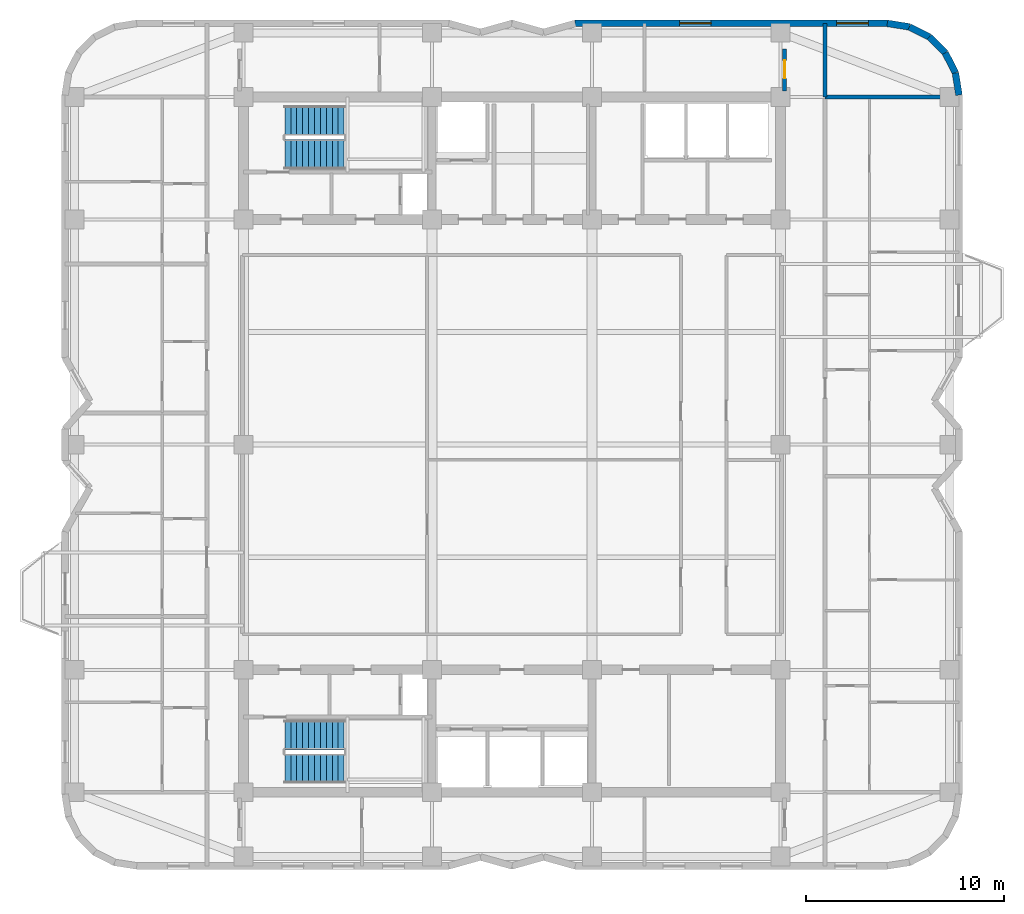
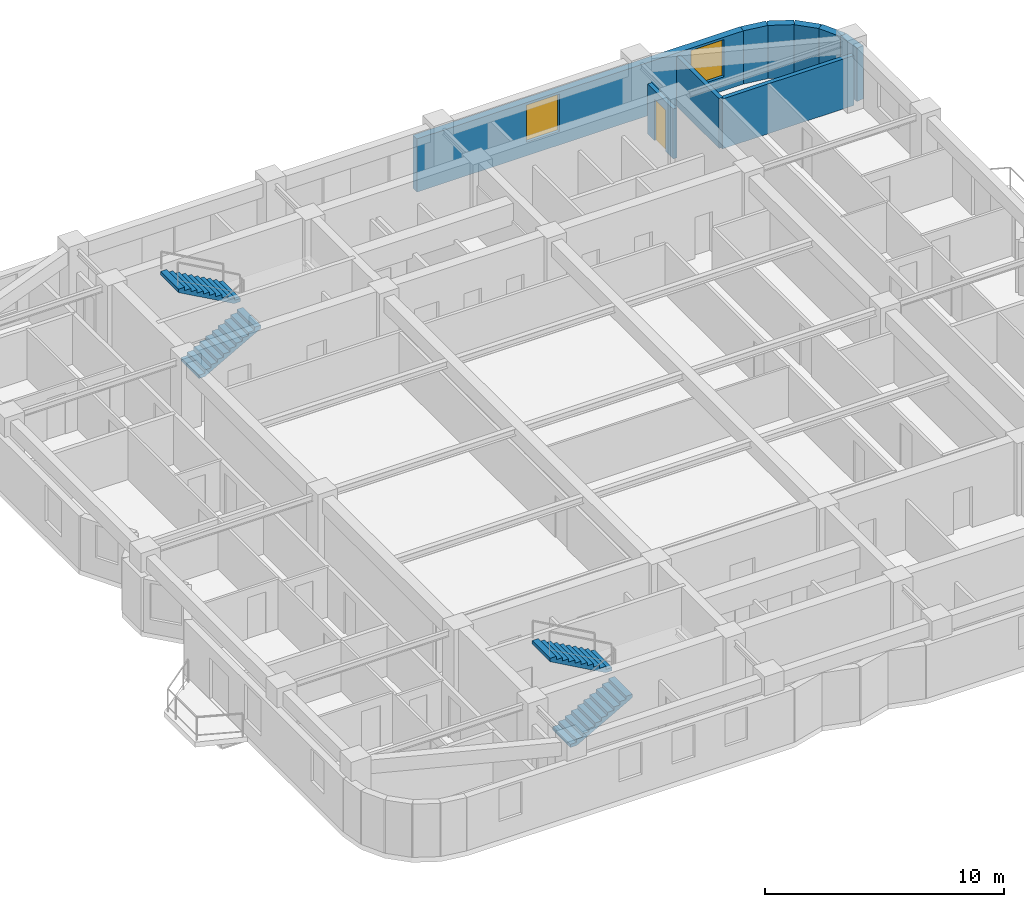
# One storey, part 7 of 9: 9 walls, 4 stair flights, 2 windows, 1 door, 3 openings, 2 elements without a shape of their own.
"""IFC4 building model written with IfcOpenShell, lengths in metres."""

from ifc_helpers import new_model, si_unit, direction, frame, frame_2d, origin, place, context, subcontext, project, spatial, polyline, rectangle, outline, extrude, material, layer, layer_set, type_object, element, fill, aggregate, save


model = new_model("IFC4")

# Units and contexts
model_context = context("Model", 3, precision=1e-05, world=origin(), true_north=direction((0.0, 1.0)))
body_context = subcontext(model_context, "Body", "Model", "MODEL_VIEW")
ifc_project = project(units=[si_unit("LENGTHUNIT", "METRE"), si_unit("AREAUNIT", "SQUARE_METRE"), si_unit("VOLUMEUNIT", "CUBIC_METRE"), si_unit("PLANEANGLEUNIT", "RADIAN"), si_unit("MASSUNIT", "GRAM", prefix="KILO")], contexts=[model_context])

# Site, building, storey
site_placement = place(None, origin())
site = spatial("IfcSite", under=ifc_project, at=site_placement, CompositionType="ELEMENT")
building_placement = place(site_placement, origin())
building = spatial("IfcBuilding", under=site, at=building_placement, Name="Svetorya Sky Lyceum", CompositionType="ELEMENT")
storey_placement = place(building_placement, frame((0.0, 0.0, 173.699951171875)))
storey = spatial("IfcBuildingStorey", under=building, at=storey_placement, Name="L43", CompositionType="ELEMENT", Elevation=173.699951171875)

# Walls
ifc_material_1 = material(Name="Putilovo limestone rainscreen on autoclaved cellular masonry", Category="masonry")
ifc_layer_1 = layer(ifc_material_1, 0.340087890625)
ifc_layer_set_1 = layer_set([ifc_layer_1], Name="Putilovo limestone rainscreen on autoclaved cellular masonry")
wall_type_1 = type_object("IfcWallType", Name="WL-EXT-340", PredefinedType="SOLIDWALL", material=ifc_layer_set_1)
for number, where, z_axis, x_axis, name in (
    (1, (61.830078125, 45.89990234375, 0.0), (0.0, 0.0, 1.0), (-0.156481329164, 0.987680916907, 0.0), "L43 Limestone Exterior Wall 24M"),
    (2, (61.65234375, 47.021728515625, 0.0), (0.0, 0.0, 1.0), (-0.453993402883, 0.891005044957, 0.0), "L43 Limestone Exterior Wall 25M"),
):
    element("IfcWall", number, at=place(storey_placement, frame(where, z_axis=z_axis, x_axis=x_axis)), inside=storey, type_object=wall_type_1, Name=name, PredefinedType="SOLIDWALL", context=body_context, shape_type="SweptSolid", body=[
        extrude(rectangle(XDim=1.1357421875, YDim=0.340087890625, at=frame_2d((0.56787109375, 0.0))), origin(), (0.0, 0.0, 1.0), 2.719970703125),
    ])
wall_1_placement = place(storey_placement, frame((61.13671875, 48.03369140625, 0.0), z_axis=(0.0, 0.0, 1.0), x_axis=(-0.707106781187, 0.707106781187, 0.0)))
element("IfcWall", 3, at=wall_1_placement, inside=storey, type_object=wall_type_1, Name="L43 Limestone Exterior Wall 26M", PredefinedType="SOLIDWALL", context=body_context, shape_type="SweptSolid", body=[
    extrude(rectangle(XDim=1.135498046875, YDim=0.340087890625, at=frame_2d((0.56787109375, 0.0))), origin(), (0.0, 0.0, 1.0), 2.719970703125),
])
for number, where, z_axis, x_axis, name in (
    (4, (60.333740234375, 48.836669921875, 0.0), (0.0, 0.0, 1.0), (-0.891005044957, 0.453993402883, 0.0), "L43 Limestone Exterior Wall 27M"),
    (5, (59.32177734375, 49.352294921875, 0.0), (0.0, 0.0, 1.0), (-0.987680916907, 0.156481329164, 0.0), "L43 Limestone Exterior Wall 28M"),
):
    element("IfcWall", number, at=place(storey_placement, frame(where, z_axis=z_axis, x_axis=x_axis)), inside=storey, type_object=wall_type_1, Name=name, PredefinedType="SOLIDWALL", context=body_context, shape_type="SweptSolid", body=[
        extrude(rectangle(XDim=1.1357421875, YDim=0.340087890625, at=frame_2d((0.56787109375, 0.0))), origin(), (0.0, 0.0, 1.0), 2.719970703125),
    ])

# Wall, openings, windows
wall_2_placement = place(storey_placement, frame((58.199951171875, 49.530029296875, 0.0), z_axis=(0.0, 0.0, 1.0), x_axis=(-1.0, 0.0, 0.0)))
wall_2 = element("IfcWall", 6, at=wall_2_placement, inside=storey, type_object=wall_type_1, Name="L43 Limestone Exterior Wall 29M", PredefinedType="SOLIDWALL", context=body_context, shape_type="SweptSolid", body=[
    extrude(rectangle(XDim=15.800048828125, YDim=0.340087890625, at=frame_2d((7.89990234375, 0.0))), origin(), (0.0, 0.0, 1.0), 2.719970703125),
])
opening_1_placement = place(wall_2_placement, frame((0.96240234375, 0.0, 0.699951171875)))
opening_1 = element("IfcOpeningElement", 7, at=opening_1_placement, cuts=wall_2, Name="Opening W-R4", PredefinedType="OPENING", context=body_context, shape_type="SweptSolid", body=[
    extrude(rectangle(XDim=1.60009765625, YDim=1.89990234375, at=frame_2d((0.800048828125, 0.949951171875))), frame((0.0, 0.179931640625, 0.0), z_axis=(0.0, -1.0, 0.0), x_axis=(1.0, 0.0, 0.0)), (0.0, 0.0, 1.0), 0.360107421875),
])
opening_2_placement = place(wall_2_placement, frame((8.91259765625, 0.0, 0.699951171875)))
opening_2 = element("IfcOpeningElement", 8, at=opening_2_placement, cuts=wall_2, Name="Opening W-R4", PredefinedType="OPENING", context=body_context, shape_type="SweptSolid", body=[
    extrude(rectangle(XDim=1.60009765625, YDim=1.89990234375, at=frame_2d((0.800048828125, 0.949951171875))), frame((0.0, 0.179931640625, 0.0), z_axis=(0.0, -1.0, 0.0), x_axis=(1.0, 0.0, 0.0)), (0.0, 0.0, 1.0), 0.360107421875),
])
ifc_material_2 = material(Name="Thermally broken aluminium frame with triple low-E glazing", Category="aluminium")
window_type = type_object("IfcWindowType", Name="WN-RES-160", PartitioningType="DOUBLE_PANEL_VERTICAL", PredefinedType="WINDOW", material=ifc_material_2)
window_1_placement = place(opening_1_placement, origin())
window_1 = element("IfcWindow", 9, at=window_1_placement, inside=storey, type_object=window_type, Name="L43 Facade Window W-R4.29M.1", OverallHeight=1.89990234375, OverallWidth=1.60009765625, PartitioningType="SINGLE_PANEL", PredefinedType="WINDOW", context=body_context, shape_type="SweptSolid", body=[
    extrude(rectangle(XDim=1.60009765625, YDim=1.89990234375, at=frame_2d((0.800048828125, 0.949951171875))), frame((0.0, 0.030029296875, 0.0), z_axis=(0.0, -1.0, 0.0), x_axis=(1.0, 0.0, 0.0)), (0.0, 0.0, 1.0), 0.06005859375),
])
fill(opening_1, window_1)
window_2_placement = place(opening_2_placement, origin())
window_2 = element("IfcWindow", 10, at=window_2_placement, inside=storey, type_object=window_type, Name="L43 Facade Window W-R4.29M.2", OverallHeight=1.89990234375, OverallWidth=1.60009765625, PartitioningType="SINGLE_PANEL", PredefinedType="WINDOW", context=body_context, shape_type="SweptSolid", body=[
    extrude(rectangle(XDim=1.60009765625, YDim=1.89990234375, at=frame_2d((0.800048828125, 0.949951171875))), frame((0.0, 0.030029296875, 0.0), z_axis=(0.0, -1.0, 0.0), x_axis=(1.0, 0.0, 0.0)), (0.0, 0.0, 1.0), 0.06005859375),
])
fill(opening_2, window_2)

# Walls
ifc_material_3 = material(Name="Autoclaved cellular masonry blockwork with gypsum plaster", Category="masonry")
ifc_layer_2 = layer(ifc_material_3, 0.199951171875)
ifc_layer_set_2 = layer_set([ifc_layer_2], Name="Autoclaved cellular masonry blockwork with gypsum plaster")
wall_type_2 = type_object("IfcWallType", Name="WL-PART-200", PredefinedType="PARTITIONING", material=ifc_layer_set_2)
wall_3_placement = place(storey_placement, frame((55.050048828125, 45.800048828125, 0.0), z_axis=(0.0, 0.0, 1.0), x_axis=(1.0, 0.0, 0.0)))
element("IfcWall", 11, at=wall_3_placement, inside=storey, type_object=wall_type_2, Name="L43 Interior Partition E-CAP-N", PredefinedType="PARTITIONING", context=body_context, shape_type="SweptSolid", body=[
    extrude(rectangle(XDim=6.35986328125, YDim=0.199951171875, at=frame_2d((3.179931640625, 0.0))), origin(), (0.0, 0.0, 1.0), 2.550048828125),
])
wall_4_placement = place(storey_placement, frame((55.050048828125, 45.800048828125, 0.0), z_axis=(0.0, 0.0, 1.0), x_axis=(0.0, 1.0, 0.0)))
element("IfcWall", 12, at=wall_4_placement, inside=storey, type_object=wall_type_2, Name="L43 Interior Partition EC-NE-END", PredefinedType="PARTITIONING", context=body_context, shape_type="SweptSolid", body=[
    extrude(rectangle(XDim=3.72998046875, YDim=0.199951171875, at=frame_2d((1.864990234375, 0.0))), origin(), (0.0, 0.0, 1.0), 2.550048828125),
])

# Wall, opening, door
wall_5_placement = place(storey_placement, frame((53.0, 46.10009765625, 0.0), z_axis=(0.0, 0.0, 1.0), x_axis=(0.0, 1.0, 0.0)))
wall_5 = element("IfcWall", 13, at=wall_5_placement, inside=storey, type_object=wall_type_2, Name="L43 Interior Partition N-EE", PredefinedType="PARTITIONING", context=body_context, shape_type="SweptSolid", body=[
    extrude(rectangle(XDim=2.1298828125, YDim=0.199951171875, at=frame_2d((1.06494140625, 0.0))), origin(), (0.0, 0.0, 1.0), 2.550048828125),
])
opening_3_placement = place(wall_5_placement, frame((0.64990234375, 0.0, 0.0)))
opening_3 = element("IfcOpeningElement", 14, at=opening_3_placement, cuts=wall_5, Name="Opening D-RM1", PredefinedType="OPENING", context=body_context, shape_type="SweptSolid", body=[
    extrude(rectangle(XDim=0.89990234375, YDim=2.10009765625, at=frame_2d((0.449951171875, 1.050048828125))), frame((0.0, 0.10986328125, 0.0), z_axis=(0.0, -1.0, 0.0), x_axis=(1.0, 0.0, 0.0)), (0.0, 0.0, 1.0), 0.219970703125),
])
ifc_material_4 = material(Name="Lacquered birch veneer internal door")
door_type = type_object("IfcDoorType", Name="DR-INT-900", OperationType="SINGLE_SWING_LEFT", PredefinedType="DOOR", material=ifc_material_4)
door_placement = place(opening_3_placement, origin())
door = element("IfcDoor", 15, at=door_placement, inside=storey, type_object=door_type, Name="L43 North Meeting Door", OperationType="SINGLE_SWING_LEFT", OverallHeight=2.10009765625, OverallWidth=0.89990234375, PredefinedType="DOOR", context=body_context, shape_type="SweptSolid", body=[
    extrude(rectangle(XDim=0.89990234375, YDim=2.10009765625, at=frame_2d((0.449951171875, 1.050048828125))), frame((0.0, 0.02490234375, 0.0), z_axis=(0.0, -1.0, 0.0), x_axis=(1.0, 0.0, 0.0)), (0.0, 0.0, 1.0), 0.050048828125),
])
fill(opening_3, door)

# Stair, stair flights
ifc_material_5 = material(Name="Concrete C40/50", Category="concrete")
stair_type_1 = type_object("IfcStairType", Name="STR-ST-N", PredefinedType="HALF_TURN_STAIR", material=ifc_material_5)
stair_1_placement = place(storey_placement, origin())
stair_1 = element("IfcStair", 16, at=stair_1_placement, inside=storey, type_object=stair_type_1, Name="L43 North Core Smoke-Free Exit Stair N3", PredefinedType="HALF_TURN_STAIR")
stair_flight_type_1 = type_object("IfcStairFlightType", Name="SFL-ST-N", PredefinedType="STRAIGHT", material=ifc_material_5)
stair_flight_1_placement = place(storey_placement, frame((27.699951171875, 42.89990234375, 0.0), z_axis=(0.0, 0.0, 1.0), x_axis=(1.0, 0.0, 0.0)))
stair_flight_1 = element("IfcStairFlight", 17, at=stair_flight_1_placement, type_object=stair_flight_type_1, Name="ST-N flight 1", NumberOfRisers=11, NumberOfTreads=10, PredefinedType="STRAIGHT", RiserHeight=0.168181818, TreadLength=0.3, context=body_context, shape_type="SweptSolid", body=[
    extrude(outline(polyline([(0.0, 0.0), (0.0, 0.168212890625), (0.300048828125, 0.168212890625), (0.300048828125, 0.33642578125), (0.60009765625, 0.33642578125), (0.60009765625, 0.504638671875), (0.89990234375, 0.504638671875), (0.89990234375, 0.672607421875), (1.199951171875, 0.672607421875), (1.199951171875, 0.8408203125), (1.5, 0.8408203125), (1.5, 1.009033203125), (1.800048828125, 1.009033203125), (1.800048828125, 1.17724609375), (2.10009765625, 1.17724609375), (2.10009765625, 1.345458984375), (2.39990234375, 1.345458984375), (2.39990234375, 1.513671875), (2.699951171875, 1.513671875), (2.699951171875, 1.681884765625), (3.0, 1.681884765625), (3.0, 1.85009765625), (3.0, 1.510009765625), (0.306640625, 0.0), (0.0, 0.0)])), frame((0.0, 0.75, 0.0), z_axis=(0.0, -1.0, 0.0), x_axis=(1.0, 0.0, 0.0)), (0.0, 0.0, 1.0), 1.5),
])
stair_flight_2_placement = place(storey_placement, frame((30.699951171875, 44.60009765625, 1.85009765625), z_axis=(0.0, 0.0, 1.0), x_axis=(-1.0, 0.0, 0.0)))
stair_flight_2 = element("IfcStairFlight", 18, at=stair_flight_2_placement, type_object=stair_flight_type_1, Name="ST-N flight 2", NumberOfRisers=11, NumberOfTreads=10, PredefinedType="STRAIGHT", RiserHeight=0.168181818, TreadLength=0.3, context=body_context, shape_type="SweptSolid", body=[
    extrude(outline(polyline([(0.0, 0.0), (0.0, 0.168212890625), (0.300048828125, 0.168212890625), (0.300048828125, 0.33642578125), (0.60009765625, 0.33642578125), (0.60009765625, 0.504638671875), (0.89990234375, 0.504638671875), (0.89990234375, 0.672607421875), (1.199951171875, 0.672607421875), (1.199951171875, 0.8408203125), (1.5, 0.8408203125), (1.5, 1.009033203125), (1.800048828125, 1.009033203125), (1.800048828125, 1.17724609375), (2.10009765625, 1.17724609375), (2.10009765625, 1.345458984375), (2.39990234375, 1.345458984375), (2.39990234375, 1.513671875), (2.699951171875, 1.513671875), (2.699951171875, 1.681884765625), (3.0, 1.681884765625), (3.0, 1.85009765625), (3.0, 1.510009765625), (0.306640625, 0.0), (0.0, 0.0)])), frame((0.0, 0.75, 0.0), z_axis=(0.0, -1.0, 0.0), x_axis=(1.0, 0.0, 0.0)), (0.0, 0.0, 1.0), 1.5),
])
aggregate(stair_1, [stair_flight_1, stair_flight_2])

stair_type_2 = type_object("IfcStairType", Name="STR-ST-S", PredefinedType="HALF_TURN_STAIR", material=ifc_material_5)
stair_2_placement = place(storey_placement, origin())
stair_2 = element("IfcStair", 19, at=stair_2_placement, inside=storey, type_object=stair_type_2, Name="L43 South Core Smoke-Free Exit Stair N2", PredefinedType="HALF_TURN_STAIR")
stair_flight_type_2 = type_object("IfcStairFlightType", Name="SFL-ST-S", PredefinedType="STRAIGHT", material=ifc_material_5)
stair_flight_3_placement = place(storey_placement, frame((27.699951171875, 11.800048828125, 0.0), z_axis=(0.0, 0.0, 1.0), x_axis=(1.0, 0.0, 0.0)))
stair_flight_3 = element("IfcStairFlight", 20, at=stair_flight_3_placement, type_object=stair_flight_type_2, Name="ST-S flight 1", NumberOfRisers=11, NumberOfTreads=10, PredefinedType="STRAIGHT", RiserHeight=0.168181818, TreadLength=0.3, context=body_context, shape_type="SweptSolid", body=[
    extrude(outline(polyline([(0.0, 0.0), (0.0, 0.168212890625), (0.300048828125, 0.168212890625), (0.300048828125, 0.33642578125), (0.60009765625, 0.33642578125), (0.60009765625, 0.504638671875), (0.89990234375, 0.504638671875), (0.89990234375, 0.672607421875), (1.199951171875, 0.672607421875), (1.199951171875, 0.8408203125), (1.5, 0.8408203125), (1.5, 1.009033203125), (1.800048828125, 1.009033203125), (1.800048828125, 1.17724609375), (2.10009765625, 1.17724609375), (2.10009765625, 1.345458984375), (2.39990234375, 1.345458984375), (2.39990234375, 1.513671875), (2.699951171875, 1.513671875), (2.699951171875, 1.681884765625), (3.0, 1.681884765625), (3.0, 1.85009765625), (3.0, 1.510009765625), (0.306640625, 0.0), (0.0, 0.0)])), frame((0.0, 0.75, 0.0), z_axis=(0.0, -1.0, 0.0), x_axis=(1.0, 0.0, 0.0)), (0.0, 0.0, 1.0), 1.5),
])
stair_flight_4_placement = place(storey_placement, frame((30.699951171875, 13.5, 1.85009765625), z_axis=(0.0, 0.0, 1.0), x_axis=(-1.0, 0.0, 0.0)))
stair_flight_4 = element("IfcStairFlight", 21, at=stair_flight_4_placement, type_object=stair_flight_type_2, Name="ST-S flight 2", NumberOfRisers=11, NumberOfTreads=10, PredefinedType="STRAIGHT", RiserHeight=0.168181818, TreadLength=0.3, context=body_context, shape_type="SweptSolid", body=[
    extrude(outline(polyline([(0.0, 0.0), (0.0, 0.168212890625), (0.300048828125, 0.168212890625), (0.300048828125, 0.33642578125), (0.60009765625, 0.33642578125), (0.60009765625, 0.504638671875), (0.89990234375, 0.504638671875), (0.89990234375, 0.672607421875), (1.199951171875, 0.672607421875), (1.199951171875, 0.8408203125), (1.5, 0.8408203125), (1.5, 1.009033203125), (1.800048828125, 1.009033203125), (1.800048828125, 1.17724609375), (2.10009765625, 1.17724609375), (2.10009765625, 1.345458984375), (2.39990234375, 1.345458984375), (2.39990234375, 1.513671875), (2.699951171875, 1.513671875), (2.699951171875, 1.681884765625), (3.0, 1.681884765625), (3.0, 1.85009765625), (3.0, 1.510009765625), (0.306640625, 0.0), (0.0, 0.0)])), frame((0.0, 0.75, 0.0), z_axis=(0.0, -1.0, 0.0), x_axis=(1.0, 0.0, 0.0)), (0.0, 0.0, 1.0), 1.5),
])
aggregate(stair_2, [stair_flight_3, stair_flight_4])

save(model, "model.ifc")
